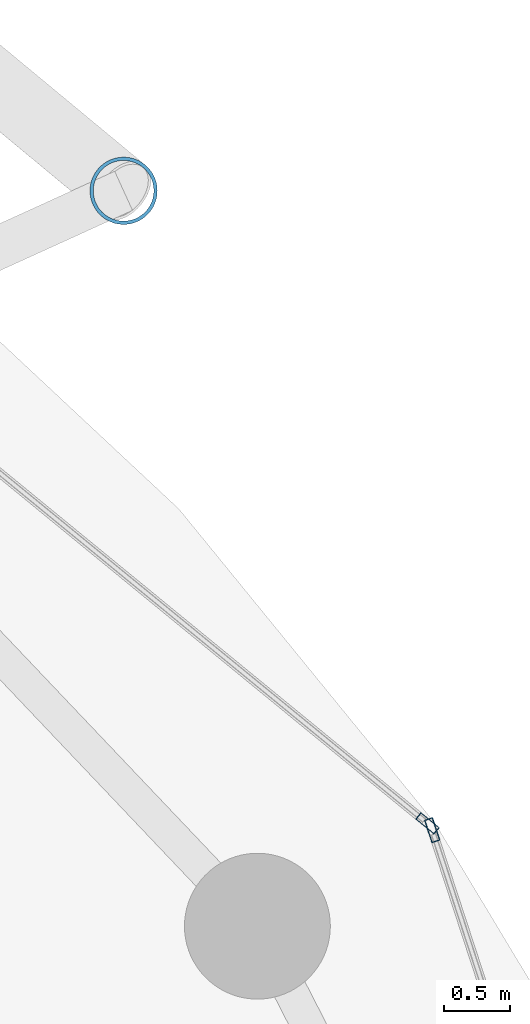
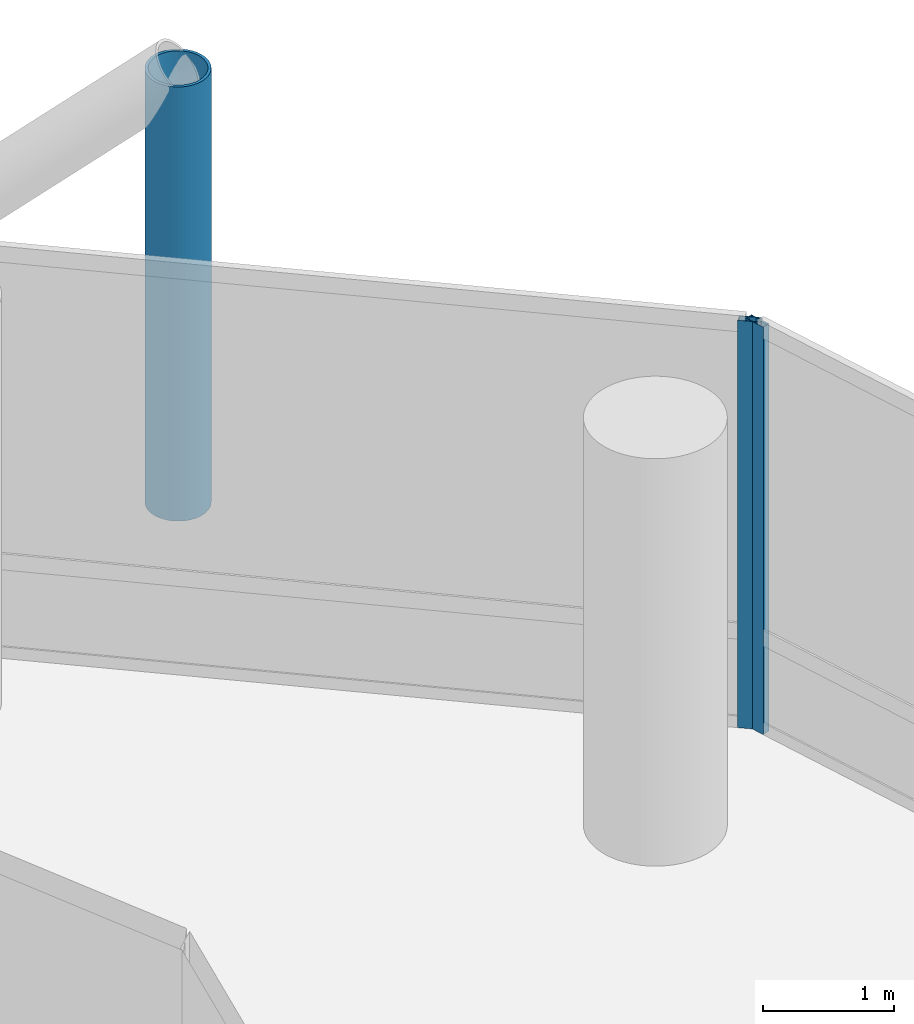
# One storey, part 19 of 24: 3 members, 2 elements without a shape of their own.
"""IFC4 building model written with IfcOpenShell, lengths in metres."""

from ifc_helpers import new_model, si_unit, direction, frame, origin, origin_2d, place, context, subcontext, project, spatial, hollow_rectangle, hollow_circle, extrude, material, layer, layer_set, material_profile, profile_set, type_object, element, aggregate, save


model = new_model("IFC4")

# Units and contexts
model_context = context("Model", 3, precision=1e-05, world=origin(), true_north=direction((0.0, 1.0)))
body_context = subcontext(model_context, "Body", "Model", "MODEL_VIEW")
ifc_project = project(units=[si_unit("LENGTHUNIT", "METRE"), si_unit("AREAUNIT", "SQUARE_METRE"), si_unit("VOLUMEUNIT", "CUBIC_METRE"), si_unit("PLANEANGLEUNIT", "RADIAN"), si_unit("MASSUNIT", "GRAM", prefix="KILO")], contexts=[model_context])

# Site, building, storey
site_placement = place(None, origin())
site = spatial("IfcSite", under=ifc_project, at=site_placement, CompositionType="ELEMENT")
building_placement = place(site_placement, origin())
building = spatial("IfcBuilding", under=site, at=building_placement, Name="Nuhasar Tower", CompositionType="ELEMENT")
storey_placement = place(building_placement, frame((0.0, 0.0, 73.64990234375)))
storey = spatial("IfcBuildingStorey", under=building, at=storey_placement, Name="L17", CompositionType="ELEMENT", Elevation=73.64990234375)

# Curtain wall, member
ifc_material_1 = material(Name="Aluminium 6063-T6", Category="aluminium")
ifc_layer = layer(ifc_material_1, 0.199951171875)
ifc_layer_set = layer_set([ifc_layer], Name="Aluminium 6063-T6")
curtain_wall_type = type_object("IfcCurtainWallType", Name="CW-Z1-OFF", PredefinedType="NOTDEFINED", material=ifc_layer_set)
curtain_wall_1_placement = place(storey_placement, origin())
curtain_wall_1 = element("IfcCurtainWall", 1, at=curtain_wall_1_placement, inside=storey, type_object=curtain_wall_type, Name="L17 Unitised Curtain Wall 01", PredefinedType="NOTDEFINED")
ifc_material_profile_1 = material_profile(ifc_material_1, hollow_rectangle(XDim=0.06494140625, YDim=0.179931640625, WallThickness=0.0048828125, at=origin_2d()), Name="CWM-2")
ifc_profile_set_1 = profile_set([ifc_material_profile_1], Name="Aluminium 6063-T6")
member_type_1 = type_object("IfcMemberType", Name="CW-MUL-S2", PredefinedType="MULLION", material=ifc_profile_set_1)
member_1_placement = place(storey_placement, frame((62.01220703125, 37.649169921875, 0.0), z_axis=(0.0, 0.0, 1.0), x_axis=(-0.950467534571, -0.310823849997, 0.0)))
member_1 = element("IfcMember", 2, at=member_1_placement, type_object=member_type_1, Name="CW-Z1 mullion 2", PredefinedType="MULLION", context=body_context, shape_type="SweptSolid", body=[
    extrude(hollow_rectangle(XDim=0.06494140625, YDim=0.179931640625, WallThickness=0.0048828125, at=origin_2d()), origin(), (0.0, 0.0, 1.0), 3.800048828125),
])
aggregate(curtain_wall_1, [member_1])

curtain_wall_2_placement = place(storey_placement, origin())
curtain_wall_2 = element("IfcCurtainWall", 3, at=curtain_wall_2_placement, inside=storey, type_object=curtain_wall_type, Name="L17 Unitised Curtain Wall 02", PredefinedType="NOTDEFINED")
member_2_placement = place(storey_placement, frame((61.976806640625, 37.70068359375, 0.0), z_axis=(0.0, 0.0, 1.0), x_axis=(-0.633744593376, -0.773542364946, 0.0)))
member_2 = element("IfcMember", 4, at=member_2_placement, type_object=member_type_1, Name="CW-Z1 mullion 1", PredefinedType="MULLION", context=body_context, shape_type="SweptSolid", body=[
    extrude(hollow_rectangle(XDim=0.06494140625, YDim=0.179931640625, WallThickness=0.0048828125, at=origin_2d()), origin(), (0.0, 0.0, 1.0), 3.800048828125),
])
aggregate(curtain_wall_2, [member_2])

# Member
ifc_material_2 = material(Name="Steel S460", Category="steel")
ifc_material_profile_2 = material_profile(ifc_material_2, hollow_circle(Radius=0.25390625, WallThickness=0.025390625, at=origin_2d()), Name="HSS508X25.4")
ifc_profile_set_2 = profile_set([ifc_material_profile_2], Name="Steel S460")
member_type_2 = type_object("IfcMemberType", Name="EXO-BRONZE-508", PredefinedType="BRACE", material=ifc_profile_set_2)
member_3_placement = place(storey_placement, frame((59.68505859375, 42.470947265625, 0.0), z_axis=(0.0, 0.0, 1.0), x_axis=(1.0, 0.0, 0.0)))
element("IfcMember", 5, at=member_3_placement, inside=storey, type_object=member_type_2, Name="L17 Exoskeleton Chord Column EC-02A", PredefinedType="BRACE", context=body_context, shape_type="SweptSolid", body=[
    extrude(hollow_circle(Radius=0.25390625, WallThickness=0.025390625, at=origin_2d()), origin(), (0.0, 0.0, 1.0), 4.050048828125),
])

save(model, "model.ifc")
